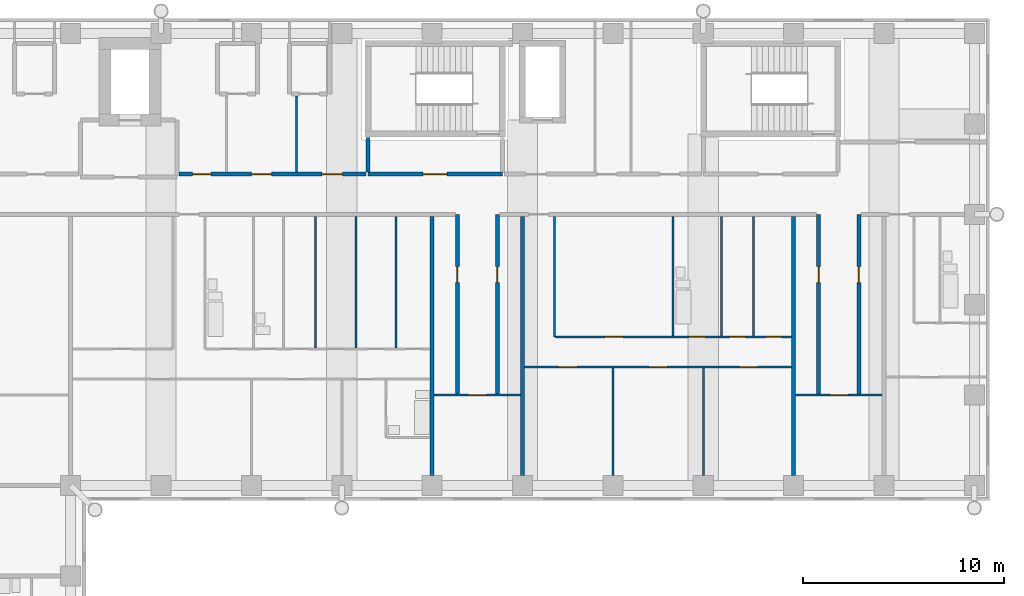
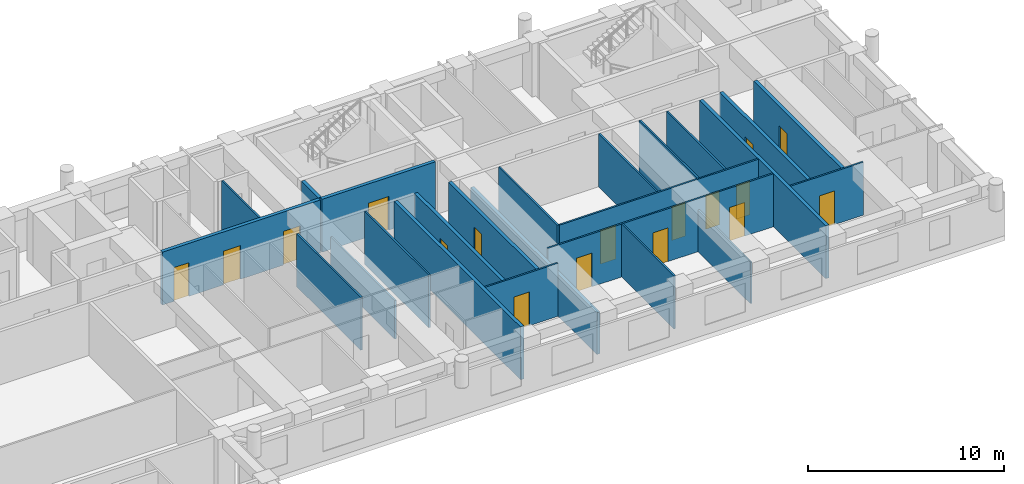
# One storey, part 9 of 14: 24 walls, 17 doors, 17 openings.
"""IFC4 building model written with IfcOpenShell, lengths in metres."""

import ifcopenshell
import ifcopenshell.guid

model = None  # the IFC model being written
_history = None  # IfcOwnerHistory: only IFC2X3 demands one
_inside = {}  # id of a spatial element -> (the spatial element, [elements in it])
_under = {}  # id of a project, library or spatial element -> (it, [spatial elements below it])
_declared = {}  # id of a project -> (the project, [libraries it declares])
_typed = {}  # id of a type object -> (the type object, [elements of that type])
_made_of = {}  # id of a material, layer set ... -> (it, [elements and type objects made of it])


def new_model(schema):
    """Start an empty IFC model of exactly this schema.

    Asked for "IFC4X3", IfcOpenShell would pick the latest addendum, in which some entities
    have other attributes; the version numbers below select the first issue.
    IFC2X3 requires an IfcOwnerHistory on every rooted entity: one is made here for all.
    """
    global model, _history
    if schema == "IFC4X3":
        model = ifcopenshell.file(schema_version=(4, 3, 0, 0))
    else:
        model = ifcopenshell.file(schema=schema)
    _inside.clear()
    _under.clear()
    _declared.clear()
    _typed.clear()
    _made_of.clear()
    _history = None
    if model.schema == "IFC2X3":
        org = make("IfcOrganization", Name="unknown")
        user = make(
            "IfcPersonAndOrganization",
            ThePerson=make("IfcPerson", FamilyName="unknown"),
            TheOrganization=org,
        )
        app = make(
            "IfcApplication",
            ApplicationDeveloper=org,
            Version="unknown",
            ApplicationFullName="unknown",
            ApplicationIdentifier="unknown",
        )
        _history = make(
            "IfcOwnerHistory",
            OwningUser=user,
            OwningApplication=app,
            ChangeAction="ADDED",
            CreationDate=0,
        )
    return model


def make(cls, **values):
    """One entity of the class cls with the attributes given. An attribute that is None is left unset."""
    return model.create_entity(
        cls, **{name: value for name, value in values.items() if value is not None}
    )


def rooted(cls, **values):
    """An entity with a GlobalId (a new one), such as an element, a storey or a relation."""
    return make(cls, GlobalId=ifcopenshell.guid.new(), OwnerHistory=_history, **values)


def si_unit(unit_type, name, prefix=None):
    """IfcSIUnit, for example si_unit("LENGTHUNIT", "METRE", prefix="MILLI")."""
    return make("IfcSIUnit", UnitType=unit_type, Prefix=prefix, Name=name)


def assignment(units):
    """IfcUnitAssignment: the units of a project."""
    return None if units is None else make("IfcUnitAssignment", Units=units)


def point(xyz):
    """IfcCartesianPoint."""
    return None if xyz is None else make("IfcCartesianPoint", Coordinates=xyz)


def direction(xyz):
    """IfcDirection."""
    return None if xyz is None else make("IfcDirection", DirectionRatios=xyz)


def frame(location, z_axis=None, x_axis=None):
    """IfcAxis2Placement3D, a coordinate frame: its origin and axes. An axis left out is left unset."""
    return make(
        "IfcAxis2Placement3D",
        Location=point(location),
        Axis=direction(z_axis),
        RefDirection=direction(x_axis),
    )


def frame_2d(location, x_axis=None):
    """IfcAxis2Placement2D, a coordinate frame in the plane: its origin and x axis."""
    return make(
        "IfcAxis2Placement2D", Location=point(location), RefDirection=direction(x_axis)
    )


def origin():
    """The frame at (0, 0, 0) with its axes left unset."""
    return frame((0.0, 0.0, 0.0))


def place(relative_to, where):
    """IfcLocalPlacement: puts the frame where relative to a parent placement (None: the world)."""
    return make(
        "IfcLocalPlacement", PlacementRelTo=relative_to, RelativePlacement=where
    )


def context(
    kind, dimensions, precision=None, world=None, true_north=None, identifier=None
):
    """IfcGeometricRepresentationContext, for example the 3D "Model" context."""
    return make(
        "IfcGeometricRepresentationContext",
        ContextIdentifier=identifier,
        ContextType=kind,
        CoordinateSpaceDimension=dimensions,
        Precision=precision,
        WorldCoordinateSystem=world,
        TrueNorth=true_north,
    )


def subcontext(parent, identifier, kind, view, scale=None):
    """IfcGeometricRepresentationSubContext, for example "Body" below "Model"."""
    return make(
        "IfcGeometricRepresentationSubContext",
        ContextIdentifier=identifier,
        ContextType=kind,
        ParentContext=parent,
        TargetScale=scale,
        TargetView=view,
    )


def project(units=None, contexts=None):
    """IfcProject with its units and contexts."""
    return rooted(
        "IfcProject",
        Name="project",
        RepresentationContexts=contexts,
        UnitsInContext=assignment(units),
    )


def spatial(cls, under=None, at=None, **own):
    """A site, building, storey or space (cls), placed at a placement, below another one or the project."""
    s = rooted(cls, ObjectPlacement=at, **own)
    if under is not None:
        _under.setdefault(under.id(), (under, []))[1].append(s)
    return s


def profile(cls, at=None, kind="AREA", **sizes):
    """A parametric profile (cls). Its sizes go by their IFC names, for example OverallWidth=200.0."""
    return make(cls, ProfileType=kind, Position=at, **sizes)


def rectangle(**sizes):
    """IfcRectangleProfileDef."""
    return profile("IfcRectangleProfileDef", **sizes)


def extrude(swept, where, along, depth):
    """IfcExtrudedAreaSolid: the profile swept, set in the frame where, extruded along a direction by depth."""
    return make(
        "IfcExtrudedAreaSolid",
        SweptArea=swept,
        Position=where,
        ExtrudedDirection=direction(along),
        Depth=depth,
    )


def shape(context_of_items, identifier, shape_type, items):
    """IfcShapeRepresentation: the items that make up one representation, for example the "Body"."""
    return make(
        "IfcShapeRepresentation",
        ContextOfItems=context_of_items,
        RepresentationIdentifier=identifier,
        RepresentationType=shape_type,
        Items=items,
    )


def material(Name=None, Category=None):
    """IfcMaterial."""
    return make("IfcMaterial", Name=Name, Category=Category)


def layer(
    of_material, thickness, ventilated=None, Name=None, Category=None, Priority=None
):
    """IfcMaterialLayer: one layer of a wall or slab, of a material (None: an air gap)."""
    return make(
        "IfcMaterialLayer",
        Material=of_material,
        LayerThickness=thickness,
        IsVentilated=ventilated,
        Name=Name,
        Category=Category,
        Priority=Priority,
    )


def layer_set(layers, Name=None):
    """IfcMaterialLayerSet."""
    return make("IfcMaterialLayerSet", MaterialLayers=layers, LayerSetName=Name)


def made_of(thing, what):
    """Note that an element or type object is made of a material, layer set ...; save() writes the relation."""
    if what is not None:
        _made_of.setdefault(what.id(), (what, []))[1].append(thing)
    return thing


def type_object(cls, material=None, **own):
    """A type object (cls), such as IfcWallType, which elements share."""
    return made_of(rooted(cls, **own), material)


def element(
    cls,
    number,
    at=None,
    inside=None,
    cuts=None,
    type_object=None,
    material=None,
    context=None,
    identifier="Body",
    shape_type=None,
    held_by="IfcProductDefinitionShape",
    body=None,
    shapes=None,
    **own,
):
    """One element of the class cls, such as IfcWall. Its Tag is "e" and its number.

    at: its placement. inside: the storey or other place that contains it. cuts: it is an
    opening in that element (IfcRelVoidsElement). A single representation is given by context,
    identifier, shape_type and body (its items); several are given by shapes. held_by: the class
    of the entity that holds the representations. save() writes the other relations.
    """
    e = rooted(cls, Tag="e%d" % number, ObjectPlacement=at, **own)
    if body is not None:
        shapes = [shape(context, identifier, shape_type, body)]
    if shapes is not None:
        e.Representation = make(held_by, Representations=shapes)
    if inside is not None:
        _inside.setdefault(inside.id(), (inside, []))[1].append(e)
    if cuts is not None:
        rooted(
            "IfcRelVoidsElement", RelatingBuildingElement=cuts, RelatedOpeningElement=e
        )
    if type_object is not None:
        _typed.setdefault(type_object.id(), (type_object, []))[1].append(e)
    return made_of(e, material)


def fill(opening, filler):
    """IfcRelFillsElement: the door or window that sits in an opening."""
    return rooted(
        "IfcRelFillsElement",
        RelatingOpeningElement=opening,
        RelatedBuildingElement=filler,
    )


def aggregate(whole, parts):
    """IfcRelAggregates: a whole, such as a stair, and the parts it consists of."""
    return rooted("IfcRelAggregates", RelatingObject=whole, RelatedObjects=parts)


def save(model, path):
    """Write the relations noted so far, then the file.

    IfcRelAggregates (storeys below a building ...), IfcRelContainedInSpatialStructure (elements
    in a storey), IfcRelDefinesByType, IfcRelAssociatesMaterial and IfcRelDeclares: one each for
    every whole, place, type object, material and project.
    """
    for whole, parts in _under.values():
        aggregate(whole, parts)
    for where, things in _inside.values():
        rooted(
            "IfcRelContainedInSpatialStructure",
            RelatedElements=things,
            RelatingStructure=where,
        )
    for kind, things in _typed.values():
        rooted("IfcRelDefinesByType", RelatedObjects=things, RelatingType=kind)
    for what, things in _made_of.values():
        rooted("IfcRelAssociatesMaterial", RelatedObjects=things, RelatingMaterial=what)
    for by, libraries in _declared.values():
        rooted("IfcRelDeclares", RelatingContext=by, RelatedDefinitions=libraries)
    model.write(path)


model = new_model("IFC4")

# Units and contexts
model_context = context("Model", 3, precision=1e-05, world=origin(), true_north=direction((0.0, 1.0)))
body_context = subcontext(model_context, "Body", "Model", "MODEL_VIEW")
ifc_project = project(units=[si_unit("LENGTHUNIT", "METRE"), si_unit("AREAUNIT", "SQUARE_METRE"), si_unit("VOLUMEUNIT", "CUBIC_METRE"), si_unit("PLANEANGLEUNIT", "RADIAN"), si_unit("MASSUNIT", "GRAM", prefix="KILO")], contexts=[model_context])

# Site, building, storey
site_placement = place(None, origin())
site = spatial("IfcSite", under=ifc_project, at=site_placement, CompositionType="ELEMENT")
building_placement = place(site_placement, origin())
building = spatial("IfcBuilding", under=site, at=building_placement, Name="Firuza Court", CompositionType="ELEMENT")
storey_placement = place(building_placement, frame((0.0, 0.0, 159.199951171875)))
storey = spatial("IfcBuildingStorey", under=building, at=storey_placement, Name="L40", CompositionType="ELEMENT", Elevation=159.199951171875)

# Walls
ifc_material_1 = material(Name="Moisture-resistant gypsum board partition")
ifc_layer_1 = layer(ifc_material_1, 0.10009765625)
ifc_layer_set_1 = layer_set([ifc_layer_1], Name="Moisture-resistant gypsum board partition")
wall_type_1 = type_object("IfcWallType", Name="Bathroom partition 100", PredefinedType="PLUMBINGWALL", material=ifc_layer_set_1)
for number, where, z_axis, x_axis, name in (
    (1, (52.5, 43.449951171875, 0.0), (0.0, 0.0, 1.0), (0.0, 1.0, 0.0), "Bathroom partition 100 L40"),
    (2, (54.89990234375, 43.449951171875, 0.0), (0.0, 0.0, 1.0), (0.0, 1.0, 0.0), "Bathroom partition 100 L40"),
):
    element("IfcWall", number, at=place(storey_placement, frame(where, z_axis=z_axis, x_axis=x_axis)), inside=storey, type_object=wall_type_1, Name=name, PredefinedType="PLUMBINGWALL", context=body_context, shape_type="SweptSolid", body=[
        extrude(rectangle(XDim=5.949951171875, YDim=0.10009765625, at=frame_2d((2.97509765625, 0.0))), origin(), (0.0, 0.0, 1.0), 3.300048828125),
    ])

# Wall, opening, door
ifc_material_2 = material(Name="Blockwork, plastered both sides", Category="masonry")
ifc_layer_2 = layer(ifc_material_2, 0.199951171875)
ifc_layer_set_2 = layer_set([ifc_layer_2], Name="Blockwork, plastered both sides")
wall_type_2 = type_object("IfcWallType", Name="Corridor wall 200", PredefinedType="PARTITIONING", material=ifc_layer_set_2)
wall_1_placement = place(storey_placement, frame((41.75, 40.550048828125, 0.0), z_axis=(0.0, 0.0, 1.0), x_axis=(0.0, 1.0, 0.0)))
wall_1 = element("IfcWall", 3, at=wall_1_placement, inside=storey, type_object=wall_type_2, Name="Corridor wall 200 L40", PredefinedType="PARTITIONING", context=body_context, shape_type="SweptSolid", body=[
    extrude(rectangle(XDim=8.949951171875, YDim=0.199951171875, at=frame_2d((4.47509765625, 0.0))), origin(), (0.0, 0.0, 1.0), 3.300048828125),
])
opening_1_placement = place(wall_1_placement, frame((5.550048828125, 0.0, 0.0)))
opening_1 = element("IfcOpeningElement", 4, at=opening_1_placement, cuts=wall_1, Name="Opening D40042", PredefinedType="OPENING", context=body_context, shape_type="SweptSolid", body=[
    extrude(rectangle(XDim=0.800048828125, YDim=2.10009765625, at=frame_2d((0.39990234375, 1.050048828125))), frame((0.0, 0.11181640625, 0.0), z_axis=(0.0, -1.0, 0.0), x_axis=(1.0, 0.0, 0.0)), (0.0, 0.0, 1.0), 0.223876953125),
])
ifc_material_3 = material(Name="Timber door leaf in hardwood frame", Category="wood")
door_type_1 = type_object("IfcDoorType", Name="Room door 800 EI 30", OperationType="SINGLE_SWING_LEFT", PredefinedType="DOOR", material=ifc_material_3)
door_1_placement = place(opening_1_placement, origin())
door_1 = element("IfcDoor", 5, at=door_1_placement, inside=storey, type_object=door_type_1, Name="Store door", OperationType="SINGLE_SWING_RIGHT", OverallHeight=2.10009765625, OverallWidth=0.800048828125, PredefinedType="DOOR", context=body_context, shape_type="SweptSolid", body=[
    extrude(rectangle(XDim=0.800048828125, YDim=2.10009765625, at=frame_2d((0.39990234375, 1.050048828125))), frame((0.0, 0.02490234375, 0.0), z_axis=(0.0, -1.0, 0.0), x_axis=(1.0, 0.0, 0.0)), (0.0, 0.0, 1.0), 0.050048828125),
])
fill(opening_1, door_1)

wall_2_placement = place(storey_placement, frame((43.75, 40.550048828125, 0.0), z_axis=(0.0, 0.0, 1.0), x_axis=(0.0, 1.0, 0.0)))
wall_2 = element("IfcWall", 6, at=wall_2_placement, inside=storey, type_object=wall_type_2, Name="Corridor wall 200 L40", PredefinedType="PARTITIONING", context=body_context, shape_type="SweptSolid", body=[
    extrude(rectangle(XDim=8.949951171875, YDim=0.199951171875, at=frame_2d((4.47509765625, 0.0))), origin(), (0.0, 0.0, 1.0), 3.300048828125),
])
opening_2_placement = place(wall_2_placement, frame((5.550048828125, 0.0, 0.0)))
opening_2 = element("IfcOpeningElement", 7, at=opening_2_placement, cuts=wall_2, Name="Opening D40043", PredefinedType="OPENING", context=body_context, shape_type="SweptSolid", body=[
    extrude(rectangle(XDim=0.800048828125, YDim=2.10009765625, at=frame_2d((0.39990234375, 1.050048828125))), frame((0.0, 0.11181640625, 0.0), z_axis=(0.0, -1.0, 0.0), x_axis=(1.0, 0.0, 0.0)), (0.0, 0.0, 1.0), 0.223876953125),
])
door_2_placement = place(opening_2_placement, frame((0.800048828125, 0.0, 0.0), z_axis=(0.0, 0.0, 1.0), x_axis=(-1.0, 0.0, 0.0)))
door_2 = element("IfcDoor", 8, at=door_2_placement, inside=storey, type_object=door_type_1, Name="Store door", OperationType="SINGLE_SWING_LEFT", OverallHeight=2.10009765625, OverallWidth=0.800048828125, PredefinedType="DOOR", context=body_context, shape_type="SweptSolid", body=[
    extrude(rectangle(XDim=0.800048828125, YDim=2.10009765625, at=frame_2d((0.39990234375, 1.050048828125))), frame((0.0, 0.02490234375, 0.0), z_axis=(0.0, -1.0, 0.0), x_axis=(1.0, 0.0, 0.0)), (0.0, 0.0, 1.0), 0.050048828125),
])
fill(opening_2, door_2)

wall_3_placement = place(storey_placement, frame((59.75, 40.550048828125, 0.0), z_axis=(0.0, 0.0, 1.0), x_axis=(0.0, 1.0, 0.0)))
wall_3 = element("IfcWall", 9, at=wall_3_placement, inside=storey, type_object=wall_type_2, Name="Corridor wall 200 L40", PredefinedType="PARTITIONING", context=body_context, shape_type="SweptSolid", body=[
    extrude(rectangle(XDim=8.949951171875, YDim=0.199951171875, at=frame_2d((4.47509765625, 0.0))), origin(), (0.0, 0.0, 1.0), 3.300048828125),
])
opening_3_placement = place(wall_3_placement, frame((5.550048828125, 0.0, 0.0)))
opening_3 = element("IfcOpeningElement", 10, at=opening_3_placement, cuts=wall_3, Name="Opening D40044", PredefinedType="OPENING", context=body_context, shape_type="SweptSolid", body=[
    extrude(rectangle(XDim=0.800048828125, YDim=2.10009765625, at=frame_2d((0.39990234375, 1.050048828125))), frame((0.0, 0.11181640625, 0.0), z_axis=(0.0, -1.0, 0.0), x_axis=(1.0, 0.0, 0.0)), (0.0, 0.0, 1.0), 0.223876953125),
])
door_3_placement = place(opening_3_placement, origin())
door_3 = element("IfcDoor", 11, at=door_3_placement, inside=storey, type_object=door_type_1, Name="Store door", OperationType="SINGLE_SWING_RIGHT", OverallHeight=2.10009765625, OverallWidth=0.800048828125, PredefinedType="DOOR", context=body_context, shape_type="SweptSolid", body=[
    extrude(rectangle(XDim=0.800048828125, YDim=2.10009765625, at=frame_2d((0.39990234375, 1.050048828125))), frame((0.0, 0.02490234375, 0.0), z_axis=(0.0, -1.0, 0.0), x_axis=(1.0, 0.0, 0.0)), (0.0, 0.0, 1.0), 0.050048828125),
])
fill(opening_3, door_3)

wall_4_placement = place(storey_placement, frame((61.75, 40.550048828125, 0.0), z_axis=(0.0, 0.0, 1.0), x_axis=(0.0, 1.0, 0.0)))
wall_4 = element("IfcWall", 12, at=wall_4_placement, inside=storey, type_object=wall_type_2, Name="Corridor wall 200 L40", PredefinedType="PARTITIONING", context=body_context, shape_type="SweptSolid", body=[
    extrude(rectangle(XDim=8.949951171875, YDim=0.199951171875, at=frame_2d((4.47509765625, 0.0))), origin(), (0.0, 0.0, 1.0), 3.300048828125),
])
opening_4_placement = place(wall_4_placement, frame((5.550048828125, 0.0, 0.0)))
opening_4 = element("IfcOpeningElement", 13, at=opening_4_placement, cuts=wall_4, Name="Opening D40045", PredefinedType="OPENING", context=body_context, shape_type="SweptSolid", body=[
    extrude(rectangle(XDim=0.800048828125, YDim=2.10009765625, at=frame_2d((0.39990234375, 1.050048828125))), frame((0.0, 0.11181640625, 0.0), z_axis=(0.0, -1.0, 0.0), x_axis=(1.0, 0.0, 0.0)), (0.0, 0.0, 1.0), 0.223876953125),
])
door_4_placement = place(opening_4_placement, frame((0.800048828125, 0.0, 0.0), z_axis=(0.0, 0.0, 1.0), x_axis=(-1.0, 0.0, 0.0)))
door_4 = element("IfcDoor", 14, at=door_4_placement, inside=storey, type_object=door_type_1, Name="Store door", OperationType="SINGLE_SWING_LEFT", OverallHeight=2.10009765625, OverallWidth=0.800048828125, PredefinedType="DOOR", context=body_context, shape_type="SweptSolid", body=[
    extrude(rectangle(XDim=0.800048828125, YDim=2.10009765625, at=frame_2d((0.39990234375, 1.050048828125))), frame((0.0, 0.02490234375, 0.0), z_axis=(0.0, -1.0, 0.0), x_axis=(1.0, 0.0, 0.0)), (0.0, 0.0, 1.0), 0.050048828125),
])
fill(opening_4, door_4)

# Wall, openings, doors
wall_5_placement = place(storey_placement, frame((27.89990234375, 51.5, 0.0), z_axis=(0.0, 0.0, 1.0), x_axis=(1.0, 0.0, 0.0)))
wall_5 = element("IfcWall", 15, at=wall_5_placement, inside=storey, type_object=wall_type_2, Name="Corridor wall 200 L40", PredefinedType="PARTITIONING", context=body_context, shape_type="SweptSolid", body=[
    extrude(rectangle(XDim=9.300048828125, YDim=0.199951171875, at=frame_2d((4.64990234375, 0.0))), origin(), (0.0, 0.0, 1.0), 3.300048828125),
])
opening_5_placement = place(wall_5_placement, frame((0.675048828125, 0.0, 0.0)))
opening_5 = element("IfcOpeningElement", 16, at=opening_5_placement, cuts=wall_5, Name="Opening D40073", PredefinedType="OPENING", context=body_context, shape_type="SweptSolid", body=[
    extrude(rectangle(XDim=0.89990234375, YDim=2.10009765625, at=frame_2d((0.449951171875, 1.050048828125))), frame((0.0, 0.11181640625, 0.0), z_axis=(0.0, -1.0, 0.0), x_axis=(1.0, 0.0, 0.0)), (0.0, 0.0, 1.0), 0.223876953125),
])
opening_6_placement = place(wall_5_placement, frame((3.60009765625, 0.0, 0.0)))
opening_6 = element("IfcOpeningElement", 17, at=opening_6_placement, cuts=wall_5, Name="Opening D40074", PredefinedType="OPENING", context=body_context, shape_type="SweptSolid", body=[
    extrude(rectangle(XDim=1.0, YDim=2.10009765625, at=frame_2d((0.5, 1.050048828125))), frame((0.0, 0.11181640625, 0.0), z_axis=(0.0, -1.0, 0.0), x_axis=(1.0, 0.0, 0.0)), (0.0, 0.0, 1.0), 0.223876953125),
])
opening_7_placement = place(wall_5_placement, frame((7.125, 0.0, 0.0)))
opening_7 = element("IfcOpeningElement", 18, at=opening_7_placement, cuts=wall_5, Name="Opening D40075", PredefinedType="OPENING", context=body_context, shape_type="SweptSolid", body=[
    extrude(rectangle(XDim=1.0, YDim=2.10009765625, at=frame_2d((0.5, 1.050048828125))), frame((0.0, 0.11181640625, 0.0), z_axis=(0.0, -1.0, 0.0), x_axis=(1.0, 0.0, 0.0)), (0.0, 0.0, 1.0), 0.223876953125),
])
ifc_material_4 = material(Name="Timber door leaf in hardwood frame", Category="wood")
door_type_2 = type_object("IfcDoorType", Name="Room door 900 EI 30", OperationType="SINGLE_SWING_LEFT", PredefinedType="DOOR", material=ifc_material_4)
door_5_placement = place(opening_5_placement, origin())
door_5 = element("IfcDoor", 19, at=door_5_placement, inside=storey, type_object=door_type_2, Name="Residents' workroom door", OperationType="SINGLE_SWING_LEFT", OverallHeight=2.10009765625, OverallWidth=0.89990234375, PredefinedType="DOOR", context=body_context, shape_type="SweptSolid", body=[
    extrude(rectangle(XDim=0.89990234375, YDim=2.10009765625, at=frame_2d((0.449951171875, 1.050048828125))), frame((0.0, 0.02490234375, 0.0), z_axis=(0.0, -1.0, 0.0), x_axis=(1.0, 0.0, 0.0)), (0.0, 0.0, 1.0), 0.050048828125),
])
fill(opening_5, door_5)
ifc_material_5 = material(Name="Timber door leaf in hardwood frame", Category="wood")
door_type_3 = type_object("IfcDoorType", Name="Store door 1000", OperationType="SINGLE_SWING_LEFT", PredefinedType="DOOR", material=ifc_material_5)
door_6_placement = place(opening_6_placement, origin())
door_6 = element("IfcDoor", 20, at=door_6_placement, inside=storey, type_object=door_type_3, Name="Refuse store door", OperationType="SINGLE_SWING_LEFT", OverallHeight=2.10009765625, OverallWidth=1.0, PredefinedType="DOOR", context=body_context, shape_type="SweptSolid", body=[
    extrude(rectangle(XDim=1.0, YDim=2.10009765625, at=frame_2d((0.5, 1.050048828125))), frame((0.0, 0.02490234375, 0.0), z_axis=(0.0, -1.0, 0.0), x_axis=(1.0, 0.0, 0.0)), (0.0, 0.0, 1.0), 0.050048828125),
])
fill(opening_6, door_6)
door_7_placement = place(opening_7_placement, origin())
door_7 = element("IfcDoor", 21, at=door_7_placement, inside=storey, type_object=door_type_3, Name="Cleaner's store door", OperationType="SINGLE_SWING_LEFT", OverallHeight=2.10009765625, OverallWidth=1.0, PredefinedType="DOOR", context=body_context, shape_type="SweptSolid", body=[
    extrude(rectangle(XDim=1.0, YDim=2.10009765625, at=frame_2d((0.5, 1.050048828125))), frame((0.0, 0.02490234375, 0.0), z_axis=(0.0, -1.0, 0.0), x_axis=(1.0, 0.0, 0.0)), (0.0, 0.0, 1.0), 0.050048828125),
])
fill(opening_7, door_7)

# Walls
ifc_material_6 = material(Name="Timber stud partition, plasterboard both sides", Category="wood")
ifc_layer_3 = layer(ifc_material_6, 0.10009765625)
ifc_layer_set_3 = layer_set([ifc_layer_3], Name="Timber stud partition, plasterboard both sides")
wall_type_3 = type_object("IfcWallType", Name="Partition wall 100", PredefinedType="PARTITIONING", material=ifc_layer_set_3)
wall_6_placement = place(storey_placement, frame((49.5, 36.5, 0.0), z_axis=(0.0, 0.0, 1.0), x_axis=(0.0, 1.0, 0.0)))
element("IfcWall", 22, at=wall_6_placement, inside=storey, type_object=wall_type_3, Name="Partition wall 100 L40", PredefinedType="PARTITIONING", context=body_context, shape_type="SweptSolid", body=[
    extrude(rectangle(XDim=5.35009765625, YDim=0.10009765625, at=frame_2d((2.675048828125, 0.0))), origin(), (0.0, 0.0, 1.0), 3.300048828125),
])
wall_7_placement = place(storey_placement, frame((54.0, 36.5, 0.0), z_axis=(0.0, 0.0, 1.0), x_axis=(0.0, 1.0, 0.0)))
element("IfcWall", 23, at=wall_7_placement, inside=storey, type_object=wall_type_3, Name="Partition wall 100 L40", PredefinedType="PARTITIONING", context=body_context, shape_type="SweptSolid", body=[
    extrude(rectangle(XDim=5.35009765625, YDim=0.10009765625, at=frame_2d((2.675048828125, 0.0))), origin(), (0.0, 0.0, 1.0), 2.60009765625),
])

# Wall, opening, door
wall_8_placement = place(storey_placement, frame((40.60009765625, 40.5, 0.0), z_axis=(0.0, 0.0, 1.0), x_axis=(1.0, 0.0, 0.0)))
wall_8 = element("IfcWall", 24, at=wall_8_placement, inside=storey, type_object=wall_type_3, Name="Partition wall 100 L40", PredefinedType="PARTITIONING", context=body_context, shape_type="SweptSolid", body=[
    extrude(rectangle(XDim=4.2998046875, YDim=0.10009765625, at=frame_2d((2.14990234375, 0.0))), origin(), (0.0, 0.0, 1.0), 3.300048828125),
])
opening_8_placement = place(wall_8_placement, frame((1.699951171875, 0.0, 0.0)))
opening_8 = element("IfcOpeningElement", 25, at=opening_8_placement, cuts=wall_8, Name="Opening D40040", PredefinedType="OPENING", context=body_context, shape_type="SweptSolid", body=[
    extrude(rectangle(XDim=0.89990234375, YDim=2.10009765625, at=frame_2d((0.449951171875, 1.050048828125))), frame((0.0, 0.06201171875, 0.0), z_axis=(0.0, -1.0, 0.0), x_axis=(1.0, 0.0, 0.0)), (0.0, 0.0, 1.0), 0.1240234375),
])
ifc_material_7 = material(Name="Timber door leaf in hardwood frame", Category="wood")
door_type_4 = type_object("IfcDoorType", Name="Room door 900", OperationType="SINGLE_SWING_LEFT", PredefinedType="DOOR", material=ifc_material_7)
door_8_placement = place(opening_8_placement, origin())
door_8 = element("IfcDoor", 26, at=door_8_placement, inside=storey, type_object=door_type_4, Name="Music lounge door", OperationType="SINGLE_SWING_LEFT", OverallHeight=2.10009765625, OverallWidth=0.89990234375, PredefinedType="DOOR", context=body_context, shape_type="SweptSolid", body=[
    extrude(rectangle(XDim=0.89990234375, YDim=2.10009765625, at=frame_2d((0.449951171875, 1.050048828125))), frame((0.0, 0.02490234375, 0.0), z_axis=(0.0, -1.0, 0.0), x_axis=(1.0, 0.0, 0.0)), (0.0, 0.0, 1.0), 0.050048828125),
])
fill(opening_8, door_8)

wall_9_placement = place(storey_placement, frame((58.60009765625, 40.5, 0.0), z_axis=(0.0, 0.0, 1.0), x_axis=(1.0, 0.0, 0.0)))
wall_9 = element("IfcWall", 27, at=wall_9_placement, inside=storey, type_object=wall_type_3, Name="Partition wall 100 L40", PredefinedType="PARTITIONING", context=body_context, shape_type="SweptSolid", body=[
    extrude(rectangle(XDim=4.2998046875, YDim=0.10009765625, at=frame_2d((2.14990234375, 0.0))), origin(), (0.0, 0.0, 1.0), 3.300048828125),
])
opening_9_placement = place(wall_9_placement, frame((1.699951171875, 0.0, 0.0)))
opening_9 = element("IfcOpeningElement", 28, at=opening_9_placement, cuts=wall_9, Name="Opening D40041", PredefinedType="OPENING", context=body_context, shape_type="SweptSolid", body=[
    extrude(rectangle(XDim=0.89990234375, YDim=2.10009765625, at=frame_2d((0.449951171875, 1.050048828125))), frame((0.0, 0.06201171875, 0.0), z_axis=(0.0, -1.0, 0.0), x_axis=(1.0, 0.0, 0.0)), (0.0, 0.0, 1.0), 0.1240234375),
])
door_9_placement = place(opening_9_placement, origin())
door_9 = element("IfcDoor", 29, at=door_9_placement, inside=storey, type_object=door_type_4, Name="Residents' lounge door", OperationType="SINGLE_SWING_LEFT", OverallHeight=2.10009765625, OverallWidth=0.89990234375, PredefinedType="DOOR", context=body_context, shape_type="SweptSolid", body=[
    extrude(rectangle(XDim=0.89990234375, YDim=2.10009765625, at=frame_2d((0.449951171875, 1.050048828125))), frame((0.0, 0.02490234375, 0.0), z_axis=(0.0, -1.0, 0.0), x_axis=(1.0, 0.0, 0.0)), (0.0, 0.0, 1.0), 0.050048828125),
])
fill(opening_9, door_9)

# Wall, openings, doors
wall_10_placement = place(storey_placement, frame((45.10009765625, 41.89990234375, 0.0), z_axis=(0.0, 0.0, 1.0), x_axis=(1.0, 0.0, 0.0)))
wall_10 = element("IfcWall", 30, at=wall_10_placement, inside=storey, type_object=wall_type_3, Name="Partition wall 100 L40", PredefinedType="PARTITIONING", context=body_context, shape_type="SweptSolid", body=[
    extrude(rectangle(XDim=13.2998046875, YDim=0.10009765625, at=frame_2d((6.64990234375, 0.0))), origin(), (0.0, 0.0, 1.0), 3.300048828125),
])
opening_10_placement = place(wall_10_placement, frame((1.699951171875, 0.0, 0.0)))
opening_10 = element("IfcOpeningElement", 31, at=opening_10_placement, cuts=wall_10, Name="Opening D40050", PredefinedType="OPENING", context=body_context, shape_type="SweptSolid", body=[
    extrude(rectangle(XDim=0.89990234375, YDim=2.10009765625, at=frame_2d((0.449951171875, 1.050048828125))), frame((0.0, 0.06201171875, 0.0), z_axis=(0.0, -1.0, 0.0), x_axis=(1.0, 0.0, 0.0)), (0.0, 0.0, 1.0), 0.1240234375),
])
opening_11_placement = place(wall_10_placement, frame((6.199951171875, 0.0, 0.0)))
opening_11 = element("IfcOpeningElement", 32, at=opening_11_placement, cuts=wall_10, Name="Opening D40051", PredefinedType="OPENING", context=body_context, shape_type="SweptSolid", body=[
    extrude(rectangle(XDim=0.89990234375, YDim=2.10009765625, at=frame_2d((0.449951171875, 1.050048828125))), frame((0.0, 0.06201171875, 0.0), z_axis=(0.0, -1.0, 0.0), x_axis=(1.0, 0.0, 0.0)), (0.0, 0.0, 1.0), 0.1240234375),
])
opening_12_placement = place(wall_10_placement, frame((10.699951171875, 0.0, 0.0)))
opening_12 = element("IfcOpeningElement", 33, at=opening_12_placement, cuts=wall_10, Name="Opening D40052", PredefinedType="OPENING", context=body_context, shape_type="SweptSolid", body=[
    extrude(rectangle(XDim=0.89990234375, YDim=2.10009765625, at=frame_2d((0.449951171875, 1.050048828125))), frame((0.0, 0.06201171875, 0.0), z_axis=(0.0, -1.0, 0.0), x_axis=(1.0, 0.0, 0.0)), (0.0, 0.0, 1.0), 0.1240234375),
])
door_10_placement = place(opening_10_placement, frame((0.89990234375, 0.0, 0.0), z_axis=(0.0, 0.0, 1.0), x_axis=(-1.0, 0.0, 0.0)))
door_10 = element("IfcDoor", 34, at=door_10_placement, inside=storey, type_object=door_type_4, Name="Living room door", OperationType="SINGLE_SWING_RIGHT", OverallHeight=2.10009765625, OverallWidth=0.89990234375, PredefinedType="DOOR", context=body_context, shape_type="SweptSolid", body=[
    extrude(rectangle(XDim=0.89990234375, YDim=2.10009765625, at=frame_2d((0.449951171875, 1.050048828125))), frame((0.0, 0.02490234375, 0.0), z_axis=(0.0, -1.0, 0.0), x_axis=(1.0, 0.0, 0.0)), (0.0, 0.0, 1.0), 0.050048828125),
])
fill(opening_10, door_10)
door_11_placement = place(opening_11_placement, frame((0.89990234375, 0.0, 0.0), z_axis=(0.0, 0.0, 1.0), x_axis=(-1.0, 0.0, 0.0)))
door_11 = element("IfcDoor", 35, at=door_11_placement, inside=storey, type_object=door_type_4, Name="Bedroom door", OperationType="SINGLE_SWING_RIGHT", OverallHeight=2.10009765625, OverallWidth=0.89990234375, PredefinedType="DOOR", context=body_context, shape_type="SweptSolid", body=[
    extrude(rectangle(XDim=0.89990234375, YDim=2.10009765625, at=frame_2d((0.449951171875, 1.050048828125))), frame((0.0, 0.02490234375, 0.0), z_axis=(0.0, -1.0, 0.0), x_axis=(1.0, 0.0, 0.0)), (0.0, 0.0, 1.0), 0.050048828125),
])
fill(opening_11, door_11)
door_12_placement = place(opening_12_placement, frame((0.89990234375, 0.0, 0.0), z_axis=(0.0, 0.0, 1.0), x_axis=(-1.0, 0.0, 0.0)))
door_12 = element("IfcDoor", 36, at=door_12_placement, inside=storey, type_object=door_type_4, Name="Bedroom door", OperationType="SINGLE_SWING_RIGHT", OverallHeight=2.10009765625, OverallWidth=0.89990234375, PredefinedType="DOOR", context=body_context, shape_type="SweptSolid", body=[
    extrude(rectangle(XDim=0.89990234375, YDim=2.10009765625, at=frame_2d((0.449951171875, 1.050048828125))), frame((0.0, 0.02490234375, 0.0), z_axis=(0.0, -1.0, 0.0), x_axis=(1.0, 0.0, 0.0)), (0.0, 0.0, 1.0), 0.050048828125),
])
fill(opening_12, door_12)

# Walls
wall_11_placement = place(storey_placement, frame((34.699951171875, 42.85009765625, 0.0), z_axis=(0.0, 0.0, 1.0), x_axis=(0.0, 1.0, 0.0)))
element("IfcWall", 37, at=wall_11_placement, inside=storey, type_object=wall_type_3, Name="Partition wall 100 L40", PredefinedType="PARTITIONING", context=body_context, shape_type="SweptSolid", body=[
    extrude(rectangle(XDim=6.5498046875, YDim=0.10009765625, at=frame_2d((3.27490234375, 0.0))), origin(), (0.0, 0.0, 1.0), 3.300048828125),
])
wall_12_placement = place(storey_placement, frame((36.699951171875, 42.85009765625, 0.0), z_axis=(0.0, 0.0, 1.0), x_axis=(0.0, 1.0, 0.0)))
element("IfcWall", 38, at=wall_12_placement, inside=storey, type_object=wall_type_3, Name="Partition wall 100 L40", PredefinedType="PARTITIONING", context=body_context, shape_type="SweptSolid", body=[
    extrude(rectangle(XDim=6.5498046875, YDim=0.10009765625, at=frame_2d((3.27490234375, 0.0))), origin(), (0.0, 0.0, 1.0), 2.400146484375),
])
wall_13_placement = place(storey_placement, frame((38.699951171875, 42.85009765625, 0.0), z_axis=(0.0, 0.0, 1.0), x_axis=(0.0, 1.0, 0.0)))
element("IfcWall", 39, at=wall_13_placement, inside=storey, type_object=wall_type_3, Name="Partition wall 100 L40", PredefinedType="PARTITIONING", context=body_context, shape_type="SweptSolid", body=[
    extrude(rectangle(XDim=6.5498046875, YDim=0.10009765625, at=frame_2d((3.27490234375, 0.0))), origin(), (0.0, 0.0, 1.0), 3.300048828125),
])
wall_14_placement = place(storey_placement, frame((46.60009765625, 43.39990234375, 0.0), z_axis=(0.0, 0.0, 1.0), x_axis=(0.0, 1.0, 0.0)))
element("IfcWall", 40, at=wall_14_placement, inside=storey, type_object=wall_type_3, Name="Partition wall 100 L40", PredefinedType="PARTITIONING", context=body_context, shape_type="SweptSolid", body=[
    extrude(rectangle(XDim=6.0, YDim=0.10009765625, at=frame_2d((3.0, 0.0))), origin(), (0.0, 0.0, 1.0), 3.300048828125),
])

# Wall, openings, doors
wall_15_placement = place(storey_placement, frame((46.64990234375, 43.39990234375, 0.0), z_axis=(0.0, 0.0, 1.0), x_axis=(1.0, 0.0, 0.0)))
wall_15 = element("IfcWall", 41, at=wall_15_placement, inside=storey, type_object=wall_type_3, Name="Partition wall 100 L40", PredefinedType="PARTITIONING", context=body_context, shape_type="SweptSolid", body=[
    extrude(rectangle(XDim=11.75, YDim=0.10009765625, at=frame_2d((5.875, 0.0))), origin(), (0.0, 0.0, 1.0), 3.300048828125),
])
opening_13_placement = place(wall_15_placement, frame((6.64990234375, 0.0, 0.0)))
opening_13 = element("IfcOpeningElement", 42, at=opening_13_placement, cuts=wall_15, Name="Opening D40060", PredefinedType="OPENING", context=body_context, shape_type="SweptSolid", body=[
    extrude(rectangle(XDim=0.800048828125, YDim=2.10009765625, at=frame_2d((0.39990234375, 1.050048828125))), frame((0.0, 0.06201171875, 0.0), z_axis=(0.0, -1.0, 0.0), x_axis=(1.0, 0.0, 0.0)), (0.0, 0.0, 1.0), 0.1240234375),
])
opening_14_placement = place(wall_15_placement, frame((2.449951171875, 0.0, 0.0)))
opening_14 = element("IfcOpeningElement", 43, at=opening_14_placement, cuts=wall_15, Name="Opening D40061", PredefinedType="OPENING", context=body_context, shape_type="SweptSolid", body=[
    extrude(rectangle(XDim=0.89990234375, YDim=2.10009765625, at=frame_2d((0.449951171875, 1.050048828125))), frame((0.0, 0.06201171875, 0.0), z_axis=(0.0, -1.0, 0.0), x_axis=(1.0, 0.0, 0.0)), (0.0, 0.0, 1.0), 0.1240234375),
])
opening_15_placement = place(wall_15_placement, frame((8.64990234375, 0.0, 0.0)))
opening_15 = element("IfcOpeningElement", 44, at=opening_15_placement, cuts=wall_15, Name="Opening D40062", PredefinedType="OPENING", context=body_context, shape_type="SweptSolid", body=[
    extrude(rectangle(XDim=0.800048828125, YDim=2.10009765625, at=frame_2d((0.39990234375, 1.050048828125))), frame((0.0, 0.06201171875, 0.0), z_axis=(0.0, -1.0, 0.0), x_axis=(1.0, 0.0, 0.0)), (0.0, 0.0, 1.0), 0.1240234375),
])
opening_16_placement = place(wall_15_placement, frame((10.449951171875, 0.0, 0.0)))
opening_16 = element("IfcOpeningElement", 45, at=opening_16_placement, cuts=wall_15, Name="Opening D40063", PredefinedType="OPENING", context=body_context, shape_type="SweptSolid", body=[
    extrude(rectangle(XDim=0.800048828125, YDim=2.10009765625, at=frame_2d((0.39990234375, 1.050048828125))), frame((0.0, 0.06201171875, 0.0), z_axis=(0.0, -1.0, 0.0), x_axis=(1.0, 0.0, 0.0)), (0.0, 0.0, 1.0), 0.1240234375),
])
ifc_material_8 = material(Name="Timber door leaf in hardwood frame", Category="wood")
door_type_5 = type_object("IfcDoorType", Name="Bathroom door 800", OperationType="SINGLE_SWING_LEFT", PredefinedType="DOOR", material=ifc_material_8)
door_13_placement = place(opening_13_placement, origin())
door_13 = element("IfcDoor", 46, at=door_13_placement, inside=storey, type_object=door_type_5, Name="Bathroom door", OperationType="SINGLE_SWING_LEFT", OverallHeight=2.10009765625, OverallWidth=0.800048828125, PredefinedType="DOOR", context=body_context, shape_type="SweptSolid", body=[
    extrude(rectangle(XDim=0.800048828125, YDim=2.10009765625, at=frame_2d((0.39990234375, 1.050048828125))), frame((0.0, 0.02490234375, 0.0), z_axis=(0.0, -1.0, 0.0), x_axis=(1.0, 0.0, 0.0)), (0.0, 0.0, 1.0), 0.050048828125),
])
fill(opening_13, door_13)
ifc_material_9 = material(Name="Timber door leaf in hardwood frame", Category="wood")
door_type_6 = type_object("IfcDoorType", Name="Room door 800", OperationType="SINGLE_SWING_LEFT", PredefinedType="DOOR", material=ifc_material_9)
door_14_placement = place(opening_15_placement, origin())
door_14 = element("IfcDoor", 47, at=door_14_placement, inside=storey, type_object=door_type_6, Name="Store door", OperationType="SINGLE_SWING_LEFT", OverallHeight=2.10009765625, OverallWidth=0.800048828125, PredefinedType="DOOR", context=body_context, shape_type="SweptSolid", body=[
    extrude(rectangle(XDim=0.800048828125, YDim=2.10009765625, at=frame_2d((0.39990234375, 1.050048828125))), frame((0.0, 0.02490234375, 0.0), z_axis=(0.0, -1.0, 0.0), x_axis=(1.0, 0.0, 0.0)), (0.0, 0.0, 1.0), 0.050048828125),
])
fill(opening_15, door_14)
door_15_placement = place(opening_16_placement, origin())
door_15 = element("IfcDoor", 48, at=door_15_placement, inside=storey, type_object=door_type_6, Name="Utility room door", OperationType="SINGLE_SWING_LEFT", OverallHeight=2.10009765625, OverallWidth=0.800048828125, PredefinedType="DOOR", context=body_context, shape_type="SweptSolid", body=[
    extrude(rectangle(XDim=0.800048828125, YDim=2.10009765625, at=frame_2d((0.39990234375, 1.050048828125))), frame((0.0, 0.02490234375, 0.0), z_axis=(0.0, -1.0, 0.0), x_axis=(1.0, 0.0, 0.0)), (0.0, 0.0, 1.0), 0.050048828125),
])
fill(opening_16, door_15)
door_16_placement = place(opening_14_placement, origin())
door_16 = element("IfcDoor", 49, at=door_16_placement, inside=storey, type_object=door_type_4, Name="Kitchen door", OperationType="SINGLE_SWING_LEFT", OverallHeight=2.10009765625, OverallWidth=0.89990234375, PredefinedType="DOOR", context=body_context, shape_type="SweptSolid", body=[
    extrude(rectangle(XDim=0.89990234375, YDim=2.10009765625, at=frame_2d((0.449951171875, 1.050048828125))), frame((0.0, 0.02490234375, 0.0), z_axis=(0.0, -1.0, 0.0), x_axis=(1.0, 0.0, 0.0)), (0.0, 0.0, 1.0), 0.050048828125),
])
fill(opening_14, door_16)

# Walls
wall_16_placement = place(storey_placement, frame((56.5, 43.449951171875, 0.0), z_axis=(0.0, 0.0, 1.0), x_axis=(0.0, 1.0, 0.0)))
element("IfcWall", 50, at=wall_16_placement, inside=storey, type_object=wall_type_3, Name="Partition wall 100 L40", PredefinedType="PARTITIONING", context=body_context, shape_type="SweptSolid", body=[
    extrude(rectangle(XDim=5.949951171875, YDim=0.10009765625, at=frame_2d((2.97509765625, 0.0))), origin(), (0.0, 0.0, 1.0), 3.300048828125),
])
wall_17_placement = place(storey_placement, frame((33.75, 51.60009765625, 0.0), z_axis=(0.0, 0.0, 1.0), x_axis=(0.0, 1.0, 0.0)))
element("IfcWall", 51, at=wall_17_placement, inside=storey, type_object=wall_type_3, Name="Partition wall 100 L40", PredefinedType="PARTITIONING", context=body_context, shape_type="SweptSolid", body=[
    extrude(rectangle(XDim=3.7998046875, YDim=0.10009765625, at=frame_2d((1.89990234375, 0.0))), origin(), (0.0, 0.0, 1.0), 3.300048828125),
])
ifc_layer_4 = layer(ifc_material_2, 0.199951171875)
ifc_layer_set_4 = layer_set([ifc_layer_4], Name="Blockwork, plastered both sides")
wall_type_4 = type_object("IfcWallType", Name="Party wall 200", PredefinedType="PARTITIONING", material=ifc_layer_set_4)
wall_18_placement = place(storey_placement, frame((40.5, 36.5, 0.0), z_axis=(0.0, 0.0, 1.0), x_axis=(0.0, 1.0, 0.0)))
element("IfcWall", 52, at=wall_18_placement, inside=storey, type_object=wall_type_4, Name="Party wall 200 L40", PredefinedType="PARTITIONING", context=body_context, shape_type="SweptSolid", body=[
    extrude(rectangle(XDim=12.89990234375, YDim=0.199951171875, at=frame_2d((6.449951171875, 0.0))), origin(), (0.0, 0.0, 1.0), 3.300048828125),
])
wall_19_placement = place(storey_placement, frame((45.0, 36.5, 0.0), z_axis=(0.0, 0.0, 1.0), x_axis=(0.0, 1.0, 0.0)))
element("IfcWall", 53, at=wall_19_placement, inside=storey, type_object=wall_type_4, Name="Party wall 200 L40", PredefinedType="PARTITIONING", context=body_context, shape_type="SweptSolid", body=[
    extrude(rectangle(XDim=12.89990234375, YDim=0.199951171875, at=frame_2d((6.449951171875, 0.0))), origin(), (0.0, 0.0, 1.0), 2.60009765625),
])
wall_20_placement = place(storey_placement, frame((58.5, 36.5, 0.0), z_axis=(0.0, 0.0, 1.0), x_axis=(0.0, 1.0, 0.0)))
element("IfcWall", 54, at=wall_20_placement, inside=storey, type_object=wall_type_4, Name="Party wall 200 L40", PredefinedType="PARTITIONING", context=body_context, shape_type="SweptSolid", body=[
    extrude(rectangle(XDim=12.89990234375, YDim=0.199951171875, at=frame_2d((6.449951171875, 0.0))), origin(), (0.0, 0.0, 1.0), 3.300048828125),
])

# Wall, opening, door
ifc_material_10 = material(Name="Blockwork, fire-rated", Category="masonry")
ifc_layer_5 = layer(ifc_material_10, 0.199951171875)
ifc_layer_set_5 = layer_set([ifc_layer_5], Name="Blockwork, fire-rated")
wall_type_5 = type_object("IfcWallType", Name="Shaft wall 200", PredefinedType="PARTITIONING", material=ifc_layer_set_5)
wall_21_placement = place(storey_placement, frame((37.300048828125, 51.5, 0.0), z_axis=(0.0, 0.0, 1.0), x_axis=(1.0, 0.0, 0.0)))
wall_21 = element("IfcWall", 55, at=wall_21_placement, inside=storey, type_object=wall_type_5, Name="Shaft wall 200 L40", PredefinedType="PARTITIONING", context=body_context, shape_type="SweptSolid", body=[
    extrude(rectangle(XDim=6.699951171875, YDim=0.199951171875, at=frame_2d((3.35009765625, 0.0))), origin(), (0.0, 0.0, 1.0), 3.300048828125),
])
opening_17_placement = place(wall_21_placement, frame((2.75, 0.0, 0.0)))
opening_17 = element("IfcOpeningElement", 56, at=opening_17_placement, cuts=wall_21, Name="Opening D40006", PredefinedType="OPENING", context=body_context, shape_type="SweptSolid", body=[
    extrude(rectangle(XDim=1.199951171875, YDim=2.10009765625, at=frame_2d((0.60009765625, 1.050048828125))), frame((0.0, 0.11181640625, 0.0), z_axis=(0.0, -1.0, 0.0), x_axis=(1.0, 0.0, 0.0)), (0.0, 0.0, 1.0), 0.223876953125),
])
ifc_material_11 = material(Name="Timber door leaf in hardwood frame", Category="wood")
door_type_7 = type_object("IfcDoorType", Name="Lobby door 1200", OperationType="SINGLE_SWING_LEFT", PredefinedType="DOOR", material=ifc_material_11)
door_17_placement = place(opening_17_placement, origin())
door_17 = element("IfcDoor", 57, at=door_17_placement, inside=storey, type_object=door_type_7, Name="Lobby door", OperationType="SINGLE_SWING_LEFT", OverallHeight=2.10009765625, OverallWidth=1.199951171875, PredefinedType="DOOR", context=body_context, shape_type="SweptSolid", body=[
    extrude(rectangle(XDim=1.199951171875, YDim=2.10009765625, at=frame_2d((0.60009765625, 1.050048828125))), frame((0.0, 0.02490234375, 0.0), z_axis=(0.0, -1.0, 0.0), x_axis=(1.0, 0.0, 0.0)), (0.0, 0.0, 1.0), 0.050048828125),
])
fill(opening_17, door_17)

# Wall
wall_22_placement = place(storey_placement, frame((37.300048828125, 51.60009765625, 0.0), z_axis=(0.0, 0.0, 1.0), x_axis=(0.0, 1.0, 0.0)))
element("IfcWall", 58, at=wall_22_placement, inside=storey, type_object=wall_type_5, Name="Shaft wall 200 L40", PredefinedType="PARTITIONING", context=body_context, shape_type="SweptSolid", body=[
    extrude(rectangle(XDim=1.72998046875, YDim=0.199951171875, at=frame_2d((0.864990234375, 0.0))), origin(), (0.0, 0.0, 1.0), 3.300048828125),
])

save(model, "model.ifc")
